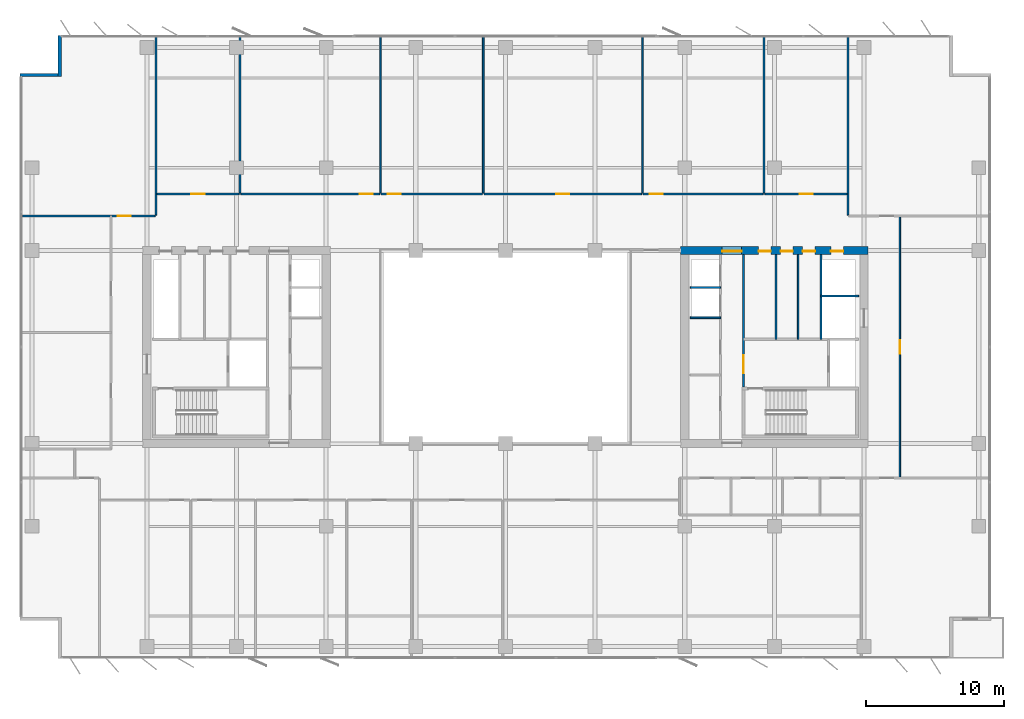
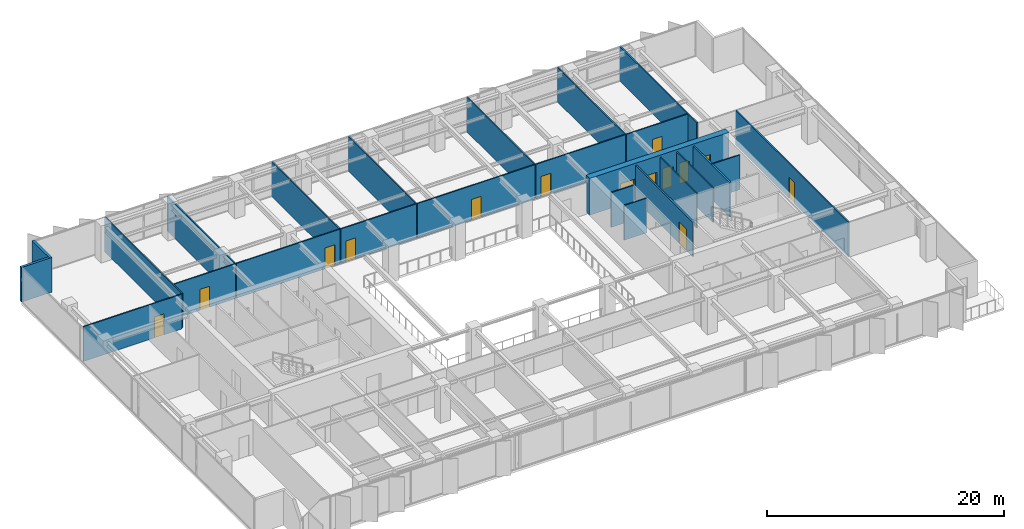
# One storey, part 17 of 22: 25 walls, 14 doors, 14 openings.
"""IFC4 building model written with IfcOpenShell, lengths in metres."""

from ifc_helpers import new_model, si_unit, direction, frame, frame_2d, origin, place, context, subcontext, project, spatial, rectangle, extrude, material, layer, layer_set, type_object, element, fill, save


model = new_model("IFC4")

# Units and contexts
model_context = context("Model", 3, precision=1e-05, world=origin(), true_north=direction((0.0, 1.0)))
body_context = subcontext(model_context, "Body", "Model", "MODEL_VIEW")
ifc_project = project(units=[si_unit("LENGTHUNIT", "METRE"), si_unit("AREAUNIT", "SQUARE_METRE"), si_unit("VOLUMEUNIT", "CUBIC_METRE"), si_unit("PLANEANGLEUNIT", "RADIAN"), si_unit("MASSUNIT", "GRAM", prefix="KILO")], contexts=[model_context])

# Site, building, storey
site_placement = place(None, origin())
site = spatial("IfcSite", under=ifc_project, at=site_placement, CompositionType="ELEMENT")
building_placement = place(site_placement, origin())
building = spatial("IfcBuilding", under=site, at=building_placement, Name="Putna Gate Headquarters", CompositionType="ELEMENT")
storey_placement = place(building_placement, frame((0.0, 0.0, 174.60009765625)))
storey = spatial("IfcBuildingStorey", under=building, at=storey_placement, Name="L43", CompositionType="ELEMENT", Elevation=174.60009765625)

# Wall, openings, doors
ifc_material_1 = material(Name="Concrete C50/60", Category="concrete")
ifc_layer_1 = layer(ifc_material_1, 0.60009765625)
ifc_layer_set_1 = layer_set([ifc_layer_1], Name="Concrete C50/60")
wall_type_1 = type_object("IfcWallType", Name="WALL-CORE-600", PredefinedType="SHEAR", material=ifc_layer_set_1)
wall_1_placement = place(storey_placement, frame((51.699951171875, 33.0, 0.0), z_axis=(0.0, 0.0, 1.0), x_axis=(1.0, 0.0, 0.0)))
wall_1 = element("IfcWall", 1, at=wall_1_placement, inside=storey, type_object=wall_type_1, Name="L43 EC Split Core Shear Wall N", PredefinedType="SHEAR", context=body_context, shape_type="SweptSolid", body=[
    extrude(rectangle(XDim=13.60009765625, YDim=0.60009765625, at=frame_2d((6.800048828125, 0.0))), origin(), (0.0, 0.0, 1.0), 3.7998046875),
])
opening_1_placement = place(wall_1_placement, frame((3.02001953125, 0.0, 0.0)))
opening_1 = element("IfcOpeningElement", 2, at=opening_1_placement, cuts=wall_1, Name="Opening FDD-140", PredefinedType="OPENING", context=body_context, shape_type="SweptSolid", body=[
    extrude(rectangle(XDim=1.39990234375, YDim=2.199951171875, at=frame_2d((0.699951171875, 1.10009765625))), frame((0.0, 0.31005859375, 0.0), z_axis=(0.0, -1.0, 0.0), x_axis=(1.0, 0.0, 0.0)), (0.0, 0.0, 1.0), 0.6201171875),
])
opening_2_placement = place(wall_1_placement, frame((10.89990234375, 0.0, 0.0)))
opening_2 = element("IfcOpeningElement", 3, at=opening_2_placement, cuts=wall_1, Name="Opening RD-90", PredefinedType="OPENING", context=body_context, shape_type="SweptSolid", body=[
    extrude(rectangle(XDim=0.89990234375, YDim=2.14990234375, at=frame_2d((0.449951171875, 1.074951171875))), frame((0.0, 0.31005859375, 0.0), z_axis=(0.0, -1.0, 0.0), x_axis=(1.0, 0.0, 0.0)), (0.0, 0.0, 1.0), 0.6201171875),
])
opening_3_placement = place(wall_1_placement, frame((5.64990234375, 0.0, 0.0)))
opening_3 = element("IfcOpeningElement", 4, at=opening_3_placement, cuts=wall_1, Name="Opening IDS-90", PredefinedType="OPENING", context=body_context, shape_type="SweptSolid", body=[
    extrude(rectangle(XDim=0.89990234375, YDim=2.14990234375, at=frame_2d((0.449951171875, 1.074951171875))), frame((0.0, 0.31005859375, 0.0), z_axis=(0.0, -1.0, 0.0), x_axis=(1.0, 0.0, 0.0)), (0.0, 0.0, 1.0), 0.6201171875),
])
opening_4_placement = place(wall_1_placement, frame((7.25, 0.0, 0.0)))
opening_4 = element("IfcOpeningElement", 5, at=opening_4_placement, cuts=wall_1, Name="Opening IDS-90", PredefinedType="OPENING", context=body_context, shape_type="SweptSolid", body=[
    extrude(rectangle(XDim=0.89990234375, YDim=2.14990234375, at=frame_2d((0.449951171875, 1.074951171875))), frame((0.0, 0.31005859375, 0.0), z_axis=(0.0, -1.0, 0.0), x_axis=(1.0, 0.0, 0.0)), (0.0, 0.0, 1.0), 0.6201171875),
])
opening_5_placement = place(wall_1_placement, frame((8.85009765625, 0.0, 0.0)))
opening_5 = element("IfcOpeningElement", 6, at=opening_5_placement, cuts=wall_1, Name="Opening IDS-90", PredefinedType="OPENING", context=body_context, shape_type="SweptSolid", body=[
    extrude(rectangle(XDim=0.89990234375, YDim=2.14990234375, at=frame_2d((0.449951171875, 1.074951171875))), frame((0.0, 0.31005859375, 0.0), z_axis=(0.0, -1.0, 0.0), x_axis=(1.0, 0.0, 0.0)), (0.0, 0.0, 1.0), 0.6201171875),
])
ifc_material_2 = material(Name="Double steel fire door", Category="steel")
door_type_1 = type_object("IfcDoorType", Name="DOOR-FIRE-DBL-1400", OperationType="DOUBLE_DOOR_SINGLE_SWING", PredefinedType="DOOR", material=ifc_material_2)
door_1_placement = place(opening_1_placement, origin())
door_1 = element("IfcDoor", 7, at=door_1_placement, inside=storey, type_object=door_type_1, Name="L43 East Lift Lobby North Door", OperationType="DOUBLE_DOOR_SINGLE_SWING", OverallHeight=2.199951171875, OverallWidth=1.39990234375, PredefinedType="DOOR", context=body_context, shape_type="SweptSolid", body=[
    extrude(rectangle(XDim=1.39990234375, YDim=2.199951171875, at=frame_2d((0.699951171875, 1.10009765625))), frame((0.0, -0.02490234375, 0.0), z_axis=(0.0, -1.0, 0.0), x_axis=(1.0, 0.0, 0.0)), (0.0, 0.0, 1.0), 0.050048828125),
])
fill(opening_1, door_1)
ifc_material_3 = material(Name="Fire-rated utility door")
door_type_2 = type_object("IfcDoorType", Name="DOOR-INT-900", OperationType="NOTDEFINED", PredefinedType="DOOR", material=ifc_material_3)
door_2_placement = place(opening_3_placement, origin())
door_2 = element("IfcDoor", 8, at=door_2_placement, inside=storey, type_object=door_type_2, Name="L43 East Cleaner Store Door", OperationType="SINGLE_SWING_RIGHT", OverallHeight=2.14990234375, OverallWidth=0.89990234375, PredefinedType="DOOR", context=body_context, shape_type="SweptSolid", body=[
    extrude(rectangle(XDim=0.89990234375, YDim=2.14990234375, at=frame_2d((0.449951171875, 1.074951171875))), frame((0.0, -0.02490234375, 0.0), z_axis=(0.0, -1.0, 0.0), x_axis=(1.0, 0.0, 0.0)), (0.0, 0.0, 1.0), 0.050048828125),
])
fill(opening_3, door_2)
door_3_placement = place(opening_4_placement, origin())
door_3 = element("IfcDoor", 9, at=door_3_placement, inside=storey, type_object=door_type_2, Name="L43 BMS Outstation Door", OperationType="SINGLE_SWING_LEFT", OverallHeight=2.14990234375, OverallWidth=0.89990234375, PredefinedType="DOOR", context=body_context, shape_type="SweptSolid", body=[
    extrude(rectangle(XDim=0.89990234375, YDim=2.14990234375, at=frame_2d((0.449951171875, 1.074951171875))), frame((0.0, -0.02490234375, 0.0), z_axis=(0.0, -1.0, 0.0), x_axis=(1.0, 0.0, 0.0)), (0.0, 0.0, 1.0), 0.050048828125),
])
fill(opening_4, door_3)
door_4_placement = place(opening_5_placement, origin())
door_4 = element("IfcDoor", 10, at=door_4_placement, inside=storey, type_object=door_type_2, Name="L43 Facilities Equipment Store Door", OperationType="SINGLE_SWING_RIGHT", OverallHeight=2.14990234375, OverallWidth=0.89990234375, PredefinedType="DOOR", context=body_context, shape_type="SweptSolid", body=[
    extrude(rectangle(XDim=0.89990234375, YDim=2.14990234375, at=frame_2d((0.449951171875, 1.074951171875))), frame((0.0, -0.02490234375, 0.0), z_axis=(0.0, -1.0, 0.0), x_axis=(1.0, 0.0, 0.0)), (0.0, 0.0, 1.0), 0.050048828125),
])
fill(opening_5, door_4)
ifc_material_4 = material(Name="Steel riser access fire door", Category="steel")
door_type_3 = type_object("IfcDoorType", Name="DOOR-RISER-900", OperationType="NOTDEFINED", PredefinedType="DOOR", material=ifc_material_4)
door_5_placement = place(opening_2_placement, origin())
door_5 = element("IfcDoor", 11, at=door_5_placement, inside=storey, type_object=door_type_3, Name="L43 East Riser Access Door", OperationType="SINGLE_SWING_LEFT", OverallHeight=2.14990234375, OverallWidth=0.89990234375, PredefinedType="DOOR", context=body_context, shape_type="SweptSolid", body=[
    extrude(rectangle(XDim=0.89990234375, YDim=2.14990234375, at=frame_2d((0.449951171875, 1.074951171875))), frame((0.0, -0.02490234375, 0.0), z_axis=(0.0, -1.0, 0.0), x_axis=(1.0, 0.0, 0.0)), (0.0, 0.0, 1.0), 0.050048828125),
])
fill(opening_2, door_5)

# Walls
ifc_material_5 = material(Name="Precast concrete C40/50", Category="concrete")
ifc_layer_2 = layer(ifc_material_5, 0.239990234375)
ifc_layer_set_2 = layer_set([ifc_layer_2], Name="Precast concrete C40/50")
wall_type_2 = type_object("IfcWallType", Name="WALL-EXT-TERR-240", PredefinedType="STANDARD", material=ifc_layer_set_2)
for number, where, z_axis, x_axis, name in (
    (12, (6.679931640625, 45.60009765625, 0.0), (0.0, 0.0, 1.0), (0.0, 1.0, 0.0), "L43 Corner Notch Return Wall NW-V"),
    (13, (3.800048828125, 45.719970703125, 0.0), (0.0, 0.0, 1.0), (1.0, 0.0, 0.0), "L43 Corner Notch Return Wall NW-H"),
):
    element("IfcWall", number, at=place(storey_placement, frame(where, z_axis=z_axis, x_axis=x_axis)), inside=storey, type_object=wall_type_2, Name=name, PredefinedType="STANDARD", context=body_context, shape_type="SweptSolid", body=[
        extrude(rectangle(XDim=3.0, YDim=0.239990234375, at=frame_2d((1.5, 0.0))), origin(), (0.0, 0.0, 1.0), 3.572021484375),
    ])
ifc_material_6 = material(Name="Acoustic gypsum board on metal stud")
ifc_layer_3 = layer(ifc_material_6, 0.1201171875)
ifc_layer_set_3 = layer_set([ifc_layer_3], Name="Acoustic gypsum board on metal stud")
wall_type_3 = type_object("IfcWallType", Name="WALL-PART-120", PredefinedType="PARTITIONING", material=ifc_layer_set_3)
wall_2_placement = place(storey_placement, frame((13.659423828125, 35.56005859375, 0.0), z_axis=(0.0, 0.0, 1.0), x_axis=(0.0, 1.0, 0.0)))
element("IfcWall", 14, at=wall_2_placement, inside=storey, type_object=wall_type_3, Name="L43 Interior Wall PART-L43-NB-DIV-01", PredefinedType="PARTITIONING", context=body_context, shape_type="SweptSolid", body=[
    extrude(rectangle(XDim=13.02001953125, YDim=0.1201171875, at=frame_2d((6.510009765625, 0.0))), origin(), (0.0, 0.0, 1.0), 3.572021484375),
])
for number, where, z_axis, x_axis, name in (
    (15, (19.7529296875, 37.159912109375, 0.0), (0.0, 0.0, 1.0), (0.0, 1.0, 0.0), "L43 Interior Wall PART-L43-NB-DIV-02"),
    (16, (29.9296875, 37.159912109375, 0.0), (0.0, 0.0, 1.0), (0.0, 1.0, 0.0), "L43 Interior Wall PART-L43-NB-DIV-03"),
    (17, (37.38916015625, 37.159912109375, 0.0), (0.0, 0.0, 1.0), (0.0, 1.0, 0.0), "L43 Interior Wall PART-L43-NB-DIV-04"),
    (18, (48.931640625, 37.159912109375, 0.0), (0.0, 0.0, 1.0), (0.0, 1.0, 0.0), "L43 Interior Wall PART-L43-NB-DIV-05"),
    (19, (57.749755859375, 37.159912109375, 0.0), (0.0, 0.0, 1.0), (0.0, 1.0, 0.0), "L43 Interior Wall PART-L43-NB-DIV-06"),
):
    element("IfcWall", number, at=place(storey_placement, frame(where, z_axis=z_axis, x_axis=x_axis)), inside=storey, type_object=wall_type_3, Name=name, PredefinedType="PARTITIONING", context=body_context, shape_type="SweptSolid", body=[
        extrude(rectangle(XDim=11.420166015625, YDim=0.1201171875, at=frame_2d((5.7099609375, 0.0))), origin(), (0.0, 0.0, 1.0), 3.572021484375),
    ])
wall_3_placement = place(storey_placement, frame((63.84326171875, 35.56005859375, 0.0), z_axis=(0.0, 0.0, 1.0), x_axis=(0.0, 1.0, 0.0)))
element("IfcWall", 20, at=wall_3_placement, inside=storey, type_object=wall_type_3, Name="L43 Interior Wall PART-L43-NB-DIV-07", PredefinedType="PARTITIONING", context=body_context, shape_type="SweptSolid", body=[
    extrude(rectangle(XDim=13.02001953125, YDim=0.1201171875, at=frame_2d((6.510009765625, 0.0))), origin(), (0.0, 0.0, 1.0), 3.572021484375),
])
ifc_material_7 = material(Name="Fire-rated shaftwall gypsum board on metal stud")
ifc_layer_4 = layer(ifc_material_7, 0.1201171875)
ifc_layer_set_4 = layer_set([ifc_layer_4], Name="Fire-rated shaftwall gypsum board on metal stud")
wall_type_4 = type_object("IfcWallType", Name="WALL-PART-120-EI120", PredefinedType="PARTITIONING", material=ifc_layer_set_4)
wall_4_placement = place(storey_placement, frame((52.39990234375, 30.31005859375, 0.0), z_axis=(0.0, 0.0, 1.0), x_axis=(1.0, 0.0, 0.0)))
element("IfcWall", 21, at=wall_4_placement, inside=storey, type_object=wall_type_4, Name="L43 Interior Wall CWINT-L43-EC-LF11-DIV", PredefinedType="PARTITIONING", context=body_context, shape_type="SweptSolid", body=[
    extrude(rectangle(XDim=2.2001953125, YDim=0.1201171875, at=frame_2d((1.10009765625, 0.0))), origin(), (0.0, 0.0, 1.0), 3.572021484375),
])
wall_5_placement = place(storey_placement, frame((61.8701171875, 29.699951171875, 0.0), z_axis=(0.0, 0.0, 1.0), x_axis=(1.0, 0.0, 0.0)))
element("IfcWall", 22, at=wall_5_placement, inside=storey, type_object=wall_type_4, Name="L43 Interior Wall CWINT-L43-EC-LF15-N", PredefinedType="PARTITIONING", context=body_context, shape_type="SweptSolid", body=[
    extrude(rectangle(XDim=2.72998046875, YDim=0.1201171875, at=frame_2d((1.364990234375, 0.0))), origin(), (0.0, 0.0, 1.0), 3.572021484375),
])
ifc_material_8 = material(Name="Fire-rated gypsum board on metal stud")
ifc_layer_5 = layer(ifc_material_8, 0.1201171875)
ifc_layer_set_5 = layer_set([ifc_layer_5], Name="Fire-rated gypsum board on metal stud")
wall_type_5 = type_object("IfcWallType", Name="WALL-PART-120-RATED", PredefinedType="PARTITIONING", material=ifc_layer_set_5)
wall_6_placement = place(storey_placement, frame((52.39990234375, 28.1201171875, 0.0), z_axis=(0.0, 0.0, 1.0), x_axis=(1.0, 0.0, 0.0)))
element("IfcWall", 23, at=wall_6_placement, inside=storey, type_object=wall_type_5, Name="L43 Interior Wall CWINT-L43-EC-LF08-DIV", PredefinedType="PARTITIONING", context=body_context, shape_type="SweptSolid", body=[
    extrude(rectangle(XDim=2.2001953125, YDim=0.1201171875, at=frame_2d((1.10009765625, 0.0))), origin(), (0.0, 0.0, 1.0), 3.572021484375),
])
for number, where, z_axis, x_axis, name in (
    (24, (58.6201171875, 26.56005859375, 0.0), (0.0, 0.0, 1.0), (0.0, 1.0, 0.0), "L43 Interior Wall CWINT-L43-EC-K2-D1"),
    (25, (60.219970703125, 26.56005859375, 0.0), (0.0, 0.0, 1.0), (0.0, 1.0, 0.0), "L43 Interior Wall CWINT-L43-EC-K2-D2"),
):
    element("IfcWall", number, at=place(storey_placement, frame(where, z_axis=z_axis, x_axis=x_axis)), inside=storey, type_object=wall_type_5, Name=name, PredefinedType="PARTITIONING", context=body_context, shape_type="SweptSolid", body=[
        extrude(rectangle(XDim=6.139892578125, YDim=0.1201171875, at=frame_2d((3.06982421875, 0.0))), origin(), (0.0, 0.0, 1.0), 3.572021484375),
    ])

# Wall, opening, door
wall_7_placement = place(storey_placement, frame((3.97998046875, 35.5, 0.0), z_axis=(0.0, 0.0, 1.0), x_axis=(1.0, 0.0, 0.0)))
wall_7 = element("IfcWall", 26, at=wall_7_placement, inside=storey, type_object=wall_type_5, Name="L43 Interior Wall PART-L43-NB-CW-01", PredefinedType="PARTITIONING", context=body_context, shape_type="SweptSolid", body=[
    extrude(rectangle(XDim=9.61962890625, YDim=0.1201171875, at=frame_2d((4.809814453125, 0.0))), origin(), (0.0, 0.0, 1.0), 3.572021484375),
])
opening_6_placement = place(wall_7_placement, frame((6.89990234375, 0.0, 0.0)))
opening_6 = element("IfcOpeningElement", 27, at=opening_6_placement, cuts=wall_7, Name="Opening FD-95", PredefinedType="OPENING", context=body_context, shape_type="SweptSolid", body=[
    extrude(rectangle(XDim=0.949951171875, YDim=2.14990234375, at=frame_2d((0.47509765625, 1.074951171875))), frame((0.0, 0.070068359375, 0.0), z_axis=(0.0, -1.0, 0.0), x_axis=(1.0, 0.0, 0.0)), (0.0, 0.0, 1.0), 0.14013671875),
])
ifc_material_9 = material(Name="Acoustic timber fire door", Category="wood")
door_type_4 = type_object("IfcDoorType", Name="DOOR-FIRE-950", OperationType="NOTDEFINED", PredefinedType="DOOR", material=ifc_material_9)
door_6_placement = place(opening_6_placement, origin())
door_6 = element("IfcDoor", 28, at=door_6_placement, inside=storey, type_object=door_type_4, Name="L43 Conference Meeting Room 4 Door", OperationType="SINGLE_SWING_RIGHT", OverallHeight=2.14990234375, OverallWidth=0.949951171875, PredefinedType="DOOR", context=body_context, shape_type="SweptSolid", body=[
    extrude(rectangle(XDim=0.949951171875, YDim=2.14990234375, at=frame_2d((0.47509765625, 1.074951171875))), frame((0.0, 0.02490234375, 0.0), z_axis=(0.0, -1.0, 0.0), x_axis=(1.0, 0.0, 0.0)), (0.0, 0.0, 1.0), 0.050048828125),
])
fill(opening_6, door_6)

wall_8_placement = place(storey_placement, frame((13.719482421875, 37.10009765625, 0.0), z_axis=(0.0, 0.0, 1.0), x_axis=(1.0, 0.0, 0.0)))
wall_8 = element("IfcWall", 29, at=wall_8_placement, inside=storey, type_object=wall_type_5, Name="L43 Interior Wall PART-L43-NB-CW-02", PredefinedType="PARTITIONING", context=body_context, shape_type="SweptSolid", body=[
    extrude(rectangle(XDim=5.9736328125, YDim=0.1201171875, at=frame_2d((2.98681640625, 0.0))), origin(), (0.0, 0.0, 1.0), 3.572021484375),
])
opening_7_placement = place(wall_8_placement, frame((2.51171875, 0.0, 0.0)))
opening_7 = element("IfcOpeningElement", 30, at=opening_7_placement, cuts=wall_8, Name="Opening FD-95", PredefinedType="OPENING", context=body_context, shape_type="SweptSolid", body=[
    extrude(rectangle(XDim=0.949951171875, YDim=2.14990234375, at=frame_2d((0.47509765625, 1.074951171875))), frame((0.0, 0.070068359375, 0.0), z_axis=(0.0, -1.0, 0.0), x_axis=(1.0, 0.0, 0.0)), (0.0, 0.0, 1.0), 0.14013671875),
])
door_7_placement = place(opening_7_placement, origin())
door_7 = element("IfcDoor", 31, at=door_7_placement, inside=storey, type_object=door_type_4, Name="L43 Quiet Wellness Focus Studio 1 Door", OperationType="SINGLE_SWING_LEFT", OverallHeight=2.14990234375, OverallWidth=0.949951171875, PredefinedType="DOOR", context=body_context, shape_type="SweptSolid", body=[
    extrude(rectangle(XDim=0.949951171875, YDim=2.14990234375, at=frame_2d((0.47509765625, 1.074951171875))), frame((0.0, 0.02490234375, 0.0), z_axis=(0.0, -1.0, 0.0), x_axis=(1.0, 0.0, 0.0)), (0.0, 0.0, 1.0), 0.050048828125),
])
fill(opening_7, door_7)

wall_9_placement = place(storey_placement, frame((19.81298828125, 37.10009765625, 0.0), z_axis=(0.0, 0.0, 1.0), x_axis=(1.0, 0.0, 0.0)))
wall_9 = element("IfcWall", 32, at=wall_9_placement, inside=storey, type_object=wall_type_5, Name="L43 Interior Wall PART-L43-NB-CW-03", PredefinedType="PARTITIONING", context=body_context, shape_type="SweptSolid", body=[
    extrude(rectangle(XDim=10.056884765625, YDim=0.1201171875, at=frame_2d((5.0283203125, 0.0))), origin(), (0.0, 0.0, 1.0), 3.572021484375),
])
opening_8_placement = place(wall_9_placement, frame((8.626708984375, 0.0, 0.0)))
opening_8 = element("IfcOpeningElement", 33, at=opening_8_placement, cuts=wall_9, Name="Opening FD-95", PredefinedType="OPENING", context=body_context, shape_type="SweptSolid", body=[
    extrude(rectangle(XDim=0.949951171875, YDim=2.14990234375, at=frame_2d((0.47509765625, 1.074951171875))), frame((0.0, 0.070068359375, 0.0), z_axis=(0.0, -1.0, 0.0), x_axis=(1.0, 0.0, 0.0)), (0.0, 0.0, 1.0), 0.14013671875),
])
door_8_placement = place(opening_8_placement, origin())
door_8 = element("IfcDoor", 34, at=door_8_placement, inside=storey, type_object=door_type_4, Name="L43 Quiet Wellness Focus Studio 2 Door", OperationType="SINGLE_SWING_RIGHT", OverallHeight=2.14990234375, OverallWidth=0.949951171875, PredefinedType="DOOR", context=body_context, shape_type="SweptSolid", body=[
    extrude(rectangle(XDim=0.949951171875, YDim=2.14990234375, at=frame_2d((0.47509765625, 1.074951171875))), frame((0.0, 0.02490234375, 0.0), z_axis=(0.0, -1.0, 0.0), x_axis=(1.0, 0.0, 0.0)), (0.0, 0.0, 1.0), 0.050048828125),
])
fill(opening_8, door_8)

wall_10_placement = place(storey_placement, frame((29.98974609375, 37.10009765625, 0.0), z_axis=(0.0, 0.0, 1.0), x_axis=(1.0, 0.0, 0.0)))
wall_10 = element("IfcWall", 35, at=wall_10_placement, inside=storey, type_object=wall_type_5, Name="L43 Interior Wall PART-L43-NB-CW-04", PredefinedType="PARTITIONING", context=body_context, shape_type="SweptSolid", body=[
    extrude(rectangle(XDim=7.33935546875, YDim=0.1201171875, at=frame_2d((3.669677734375, 0.0))), origin(), (0.0, 0.0, 1.0), 3.572021484375),
])
opening_9_placement = place(wall_10_placement, frame((0.47998046875, 0.0, 0.0)))
opening_9 = element("IfcOpeningElement", 36, at=opening_9_placement, cuts=wall_10, Name="Opening FD-95", PredefinedType="OPENING", context=body_context, shape_type="SweptSolid", body=[
    extrude(rectangle(XDim=0.949951171875, YDim=2.14990234375, at=frame_2d((0.47509765625, 1.074951171875))), frame((0.0, 0.070068359375, 0.0), z_axis=(0.0, -1.0, 0.0), x_axis=(1.0, 0.0, 0.0)), (0.0, 0.0, 1.0), 0.14013671875),
])
door_9_placement = place(opening_9_placement, origin())
door_9 = element("IfcDoor", 37, at=door_9_placement, inside=storey, type_object=door_type_4, Name="L43 Cellular Office 1 Door", OperationType="SINGLE_SWING_LEFT", OverallHeight=2.14990234375, OverallWidth=0.949951171875, PredefinedType="DOOR", context=body_context, shape_type="SweptSolid", body=[
    extrude(rectangle(XDim=0.949951171875, YDim=2.14990234375, at=frame_2d((0.47509765625, 1.074951171875))), frame((0.0, 0.02490234375, 0.0), z_axis=(0.0, -1.0, 0.0), x_axis=(1.0, 0.0, 0.0)), (0.0, 0.0, 1.0), 0.050048828125),
])
fill(opening_9, door_9)

wall_11_placement = place(storey_placement, frame((37.44921875, 37.10009765625, 0.0), z_axis=(0.0, 0.0, 1.0), x_axis=(1.0, 0.0, 0.0)))
wall_11 = element("IfcWall", 38, at=wall_11_placement, inside=storey, type_object=wall_type_5, Name="L43 Interior Wall PART-L43-NB-CW-05", PredefinedType="PARTITIONING", context=body_context, shape_type="SweptSolid", body=[
    extrude(rectangle(XDim=11.42236328125, YDim=0.1201171875, at=frame_2d((5.711181640625, 0.0))), origin(), (0.0, 0.0, 1.0), 3.572021484375),
])
opening_10_placement = place(wall_11_placement, frame((5.236328125, 0.0, 0.0)))
opening_10 = element("IfcOpeningElement", 39, at=opening_10_placement, cuts=wall_11, Name="Opening FD-95", PredefinedType="OPENING", context=body_context, shape_type="SweptSolid", body=[
    extrude(rectangle(XDim=0.949951171875, YDim=2.14990234375, at=frame_2d((0.47509765625, 1.074951171875))), frame((0.0, 0.070068359375, 0.0), z_axis=(0.0, -1.0, 0.0), x_axis=(1.0, 0.0, 0.0)), (0.0, 0.0, 1.0), 0.14013671875),
])
door_10_placement = place(opening_10_placement, origin())
door_10 = element("IfcDoor", 40, at=door_10_placement, inside=storey, type_object=door_type_4, Name="L43 Cellular Office 2 Door", OperationType="SINGLE_SWING_RIGHT", OverallHeight=2.14990234375, OverallWidth=0.949951171875, PredefinedType="DOOR", context=body_context, shape_type="SweptSolid", body=[
    extrude(rectangle(XDim=0.949951171875, YDim=2.14990234375, at=frame_2d((0.47509765625, 1.074951171875))), frame((0.0, 0.02490234375, 0.0), z_axis=(0.0, -1.0, 0.0), x_axis=(1.0, 0.0, 0.0)), (0.0, 0.0, 1.0), 0.050048828125),
])
fill(opening_10, door_10)

wall_12_placement = place(storey_placement, frame((48.99169921875, 37.10009765625, 0.0), z_axis=(0.0, 0.0, 1.0), x_axis=(1.0, 0.0, 0.0)))
wall_12 = element("IfcWall", 41, at=wall_12_placement, inside=storey, type_object=wall_type_5, Name="L43 Interior Wall PART-L43-NB-CW-06", PredefinedType="PARTITIONING", context=body_context, shape_type="SweptSolid", body=[
    extrude(rectangle(XDim=8.697998046875, YDim=0.1201171875, at=frame_2d((4.34912109375, 0.0))), origin(), (0.0, 0.0, 1.0), 3.572021484375),
])
opening_11_placement = place(wall_12_placement, frame((0.47998046875, 0.0, 0.0)))
opening_11 = element("IfcOpeningElement", 42, at=opening_11_placement, cuts=wall_12, Name="Opening FD-95", PredefinedType="OPENING", context=body_context, shape_type="SweptSolid", body=[
    extrude(rectangle(XDim=0.949951171875, YDim=2.14990234375, at=frame_2d((0.47509765625, 1.074951171875))), frame((0.0, 0.070068359375, 0.0), z_axis=(0.0, -1.0, 0.0), x_axis=(1.0, 0.0, 0.0)), (0.0, 0.0, 1.0), 0.14013671875),
])
door_11_placement = place(opening_11_placement, origin())
door_11 = element("IfcDoor", 43, at=door_11_placement, inside=storey, type_object=door_type_4, Name="L43 Cellular Office 3 Door", OperationType="SINGLE_SWING_LEFT", OverallHeight=2.14990234375, OverallWidth=0.949951171875, PredefinedType="DOOR", context=body_context, shape_type="SweptSolid", body=[
    extrude(rectangle(XDim=0.949951171875, YDim=2.14990234375, at=frame_2d((0.47509765625, 1.074951171875))), frame((0.0, 0.02490234375, 0.0), z_axis=(0.0, -1.0, 0.0), x_axis=(1.0, 0.0, 0.0)), (0.0, 0.0, 1.0), 0.050048828125),
])
fill(opening_11, door_11)

wall_13_placement = place(storey_placement, frame((57.809814453125, 37.10009765625, 0.0), z_axis=(0.0, 0.0, 1.0), x_axis=(1.0, 0.0, 0.0)))
wall_13 = element("IfcWall", 44, at=wall_13_placement, inside=storey, type_object=wall_type_5, Name="L43 Interior Wall PART-L43-NB-CW-07", PredefinedType="PARTITIONING", context=body_context, shape_type="SweptSolid", body=[
    extrude(rectangle(XDim=5.973388671875, YDim=0.1201171875, at=frame_2d((2.98681640625, 0.0))), origin(), (0.0, 0.0, 1.0), 3.572021484375),
])
opening_12_placement = place(wall_13_placement, frame((2.51171875, 0.0, 0.0)))
opening_12 = element("IfcOpeningElement", 45, at=opening_12_placement, cuts=wall_13, Name="Opening FD-95", PredefinedType="OPENING", context=body_context, shape_type="SweptSolid", body=[
    extrude(rectangle(XDim=0.949951171875, YDim=2.14990234375, at=frame_2d((0.47509765625, 1.074951171875))), frame((0.0, 0.070068359375, 0.0), z_axis=(0.0, -1.0, 0.0), x_axis=(1.0, 0.0, 0.0)), (0.0, 0.0, 1.0), 0.14013671875),
])
door_12_placement = place(opening_12_placement, origin())
door_12 = element("IfcDoor", 46, at=door_12_placement, inside=storey, type_object=door_type_4, Name="L43 Cellular Office 4 Door", OperationType="SINGLE_SWING_RIGHT", OverallHeight=2.14990234375, OverallWidth=0.949951171875, PredefinedType="DOOR", context=body_context, shape_type="SweptSolid", body=[
    extrude(rectangle(XDim=0.949951171875, YDim=2.14990234375, at=frame_2d((0.47509765625, 1.074951171875))), frame((0.0, 0.02490234375, 0.0), z_axis=(0.0, -1.0, 0.0), x_axis=(1.0, 0.0, 0.0)), (0.0, 0.0, 1.0), 0.050048828125),
])
fill(opening_12, door_12)

wall_14_placement = place(storey_placement, frame((67.60009765625, 16.5, 0.0), z_axis=(0.0, 0.0, 1.0), x_axis=(0.0, 1.0, 0.0)))
wall_14 = element("IfcWall", 47, at=wall_14_placement, inside=storey, type_object=wall_type_5, Name="L43 Interior Wall PART-L43-EW-CW-1", PredefinedType="PARTITIONING", context=body_context, shape_type="SweptSolid", body=[
    extrude(rectangle(XDim=19.0, YDim=0.1201171875, at=frame_2d((9.5, 0.0))), origin(), (0.0, 0.0, 1.0), 3.572021484375),
])
opening_13_placement = place(wall_14_placement, frame((9.02490234375, 0.0, 0.0)))
opening_13 = element("IfcOpeningElement", 48, at=opening_13_placement, cuts=wall_14, Name="Opening FD-95", PredefinedType="OPENING", context=body_context, shape_type="SweptSolid", body=[
    extrude(rectangle(XDim=0.949951171875, YDim=2.14990234375, at=frame_2d((0.47509765625, 1.074951171875))), frame((0.0, 0.070068359375, 0.0), z_axis=(0.0, -1.0, 0.0), x_axis=(1.0, 0.0, 0.0)), (0.0, 0.0, 1.0), 0.14013671875),
])
door_13_placement = place(opening_13_placement, origin())
door_13 = element("IfcDoor", 49, at=door_13_placement, inside=storey, type_object=door_type_4, Name="L43 East Horizon Conference Room 1 Door", OperationType="SINGLE_SWING_RIGHT", OverallHeight=2.14990234375, OverallWidth=0.949951171875, PredefinedType="DOOR", context=body_context, shape_type="SweptSolid", body=[
    extrude(rectangle(XDim=0.949951171875, YDim=2.14990234375, at=frame_2d((0.47509765625, 1.074951171875))), frame((0.0, 0.02490234375, 0.0), z_axis=(0.0, -1.0, 0.0), x_axis=(1.0, 0.0, 0.0)), (0.0, 0.0, 1.0), 0.050048828125),
])
fill(opening_13, door_13)

ifc_material_10 = material(Name="Concrete C40/50", Category="concrete")
ifc_layer_6 = layer(ifc_material_10, 0.159912109375)
ifc_layer_set_6 = layer_set([ifc_layer_6], Name="Concrete C40/50")
wall_type_6 = type_object("IfcWallType", Name="WALL-SHAFT-160", PredefinedType="STANDARD", material=ifc_layer_set_6)
wall_15_placement = place(storey_placement, frame((56.260009765625, 23.090087890625, 0.0), z_axis=(0.0, 0.0, 1.0), x_axis=(0.0, 1.0, 0.0)))
wall_15 = element("IfcWall", 50, at=wall_15_placement, inside=storey, type_object=wall_type_6, Name="L43 Interior Wall CWINT-L43-EC-LOB-E", PredefinedType="STANDARD", context=body_context, shape_type="SweptSolid", body=[
    extrude(rectangle(XDim=9.60986328125, YDim=0.159912109375, at=frame_2d((4.804931640625, 0.0))), origin(), (0.0, 0.0, 1.0), 3.572021484375),
])
opening_14_placement = place(wall_15_placement, frame((1.010009765625, 0.0, 0.0)))
opening_14 = element("IfcOpeningElement", 51, at=opening_14_placement, cuts=wall_15, Name="Opening FDD-130", PredefinedType="OPENING", context=body_context, shape_type="SweptSolid", body=[
    extrude(rectangle(XDim=1.300048828125, YDim=2.199951171875, at=frame_2d((0.64990234375, 1.10009765625))), frame((0.0, 0.08984375, 0.0), z_axis=(0.0, -1.0, 0.0), x_axis=(1.0, 0.0, 0.0)), (0.0, 0.0, 1.0), 0.179931640625),
])
ifc_material_11 = material(Name="Double steel lobby fire door", Category="steel")
door_type_5 = type_object("IfcDoorType", Name="DOOR-FIRE-DBL-1300", OperationType="DOUBLE_DOOR_SINGLE_SWING", PredefinedType="DOOR", material=ifc_material_11)
door_14_placement = place(opening_14_placement, origin())
door_14 = element("IfcDoor", 52, at=door_14_placement, inside=storey, type_object=door_type_5, Name="L43 East Firefighting Lobby Door", OperationType="DOUBLE_DOOR_SINGLE_SWING", OverallHeight=2.199951171875, OverallWidth=1.300048828125, PredefinedType="DOOR", context=body_context, shape_type="SweptSolid", body=[
    extrude(rectangle(XDim=1.300048828125, YDim=2.199951171875, at=frame_2d((0.64990234375, 1.10009765625))), frame((0.0, 0.02490234375, 0.0), z_axis=(0.0, -1.0, 0.0), x_axis=(1.0, 0.0, 0.0)), (0.0, 0.0, 1.0), 0.050048828125),
])
fill(opening_14, door_14)

# Wall
wall_16_placement = place(storey_placement, frame((61.8701171875, 26.56005859375, 0.0), z_axis=(0.0, 0.0, 1.0), x_axis=(0.0, 1.0, 0.0)))
element("IfcWall", 53, at=wall_16_placement, inside=storey, type_object=wall_type_6, Name="L43 Interior Wall CWINT-L43-EC-LF15-W", PredefinedType="STANDARD", context=body_context, shape_type="SweptSolid", body=[
    extrude(rectangle(XDim=6.139892578125, YDim=0.159912109375, at=frame_2d((3.06982421875, 0.0))), origin(), (0.0, 0.0, 1.0), 3.572021484375),
])

save(model, "model.ifc")
